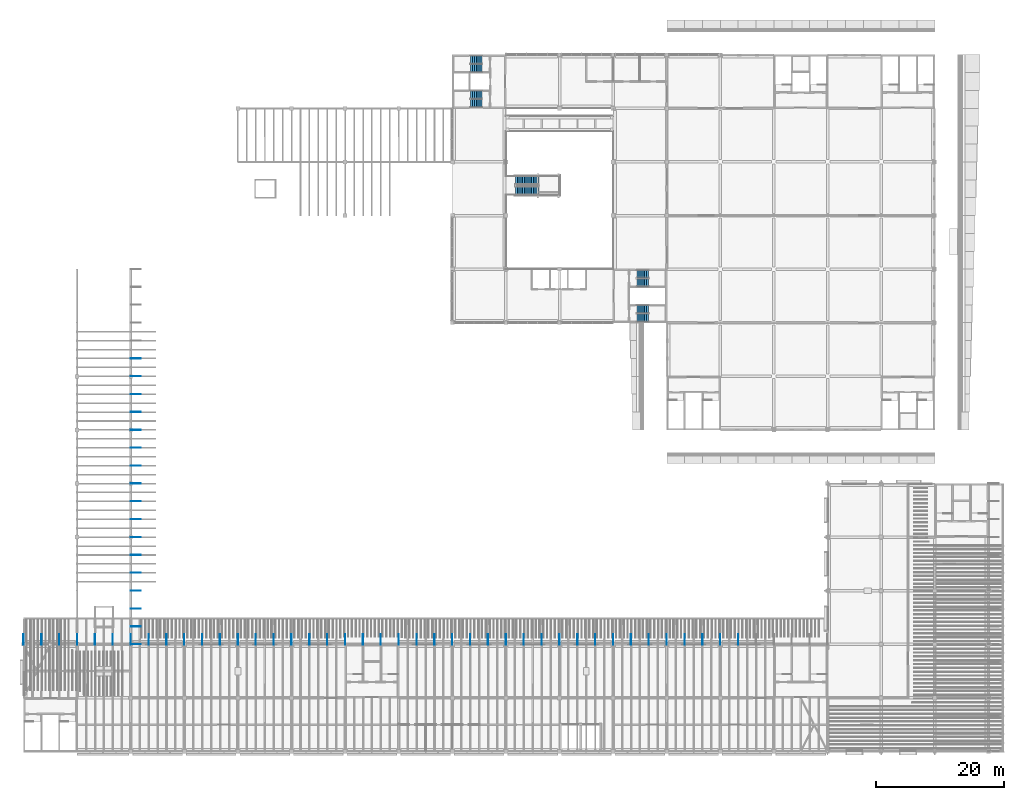
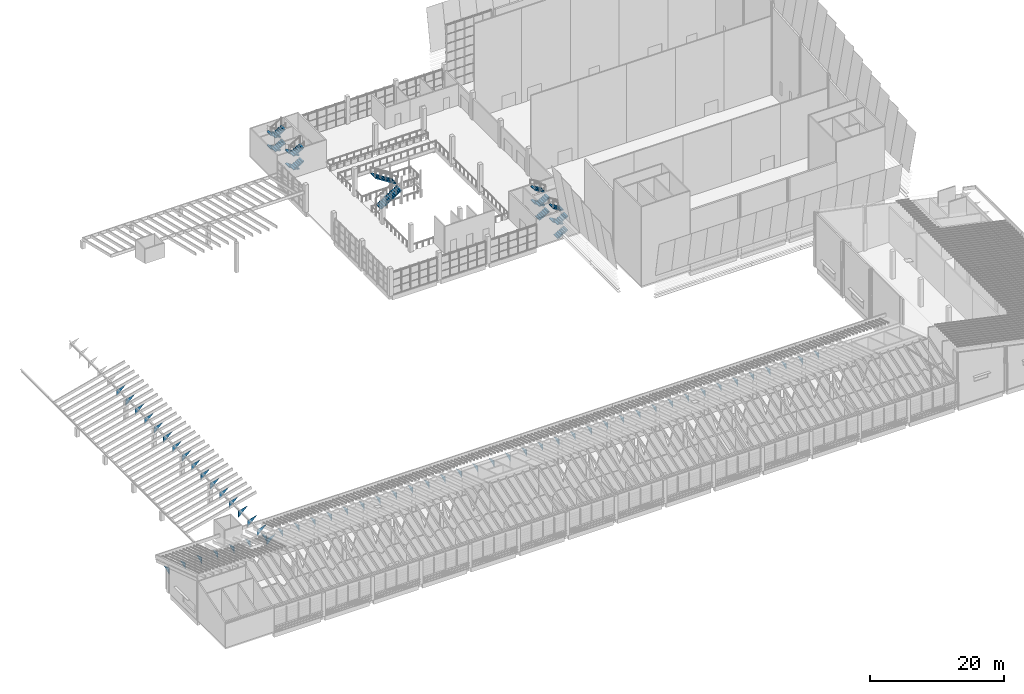
# One storey, part 28 of 59: 58 discrete accessories, 18 stair flights, 5 elements without a shape of their own.
"""IFC4 building model written with IfcOpenShell, lengths in metres."""

from ifc_helpers import new_model, si_unit, direction, frame, origin, place, context, subcontext, project, spatial, polyline, outline, extrude, material, type_object, element, aggregate, save


model = new_model("IFC4")

# Units and contexts
model_context = context("Model", 3, precision=1e-05, world=origin(), true_north=direction((0.0, 1.0)))
body_context = subcontext(model_context, "Body", "Model", "MODEL_VIEW")
ifc_project = project(units=[si_unit("LENGTHUNIT", "METRE"), si_unit("AREAUNIT", "SQUARE_METRE"), si_unit("VOLUMEUNIT", "CUBIC_METRE"), si_unit("PLANEANGLEUNIT", "RADIAN"), si_unit("MASSUNIT", "GRAM", prefix="KILO")], contexts=[model_context])

# Site, building, storey
site_placement = place(None, origin())
site = spatial("IfcSite", under=ifc_project, at=site_placement, CompositionType="ELEMENT")
building_placement = place(site_placement, origin())
building = spatial("IfcBuilding", under=site, at=building_placement, Name="Almond Square Museum", CompositionType="ELEMENT")
storey_placement = place(building_placement, frame((0.0, 0.0, 25.0)))
storey = spatial("IfcBuildingStorey", under=building, at=storey_placement, Name="L04", CompositionType="ELEMENT", Elevation=25.0)

# Stair, stair flights
ifc_material_1 = material(Name="Concrete C40/50", Category="concrete")
stair_type_1 = type_object("IfcStairType", Name="Exit stair 28 risers of 179 mm", PredefinedType="HALF_TURN_STAIR", material=ifc_material_1)
stair_1_placement = place(storey_placement, origin())
stair_1 = element("IfcStair", 1, at=stair_1_placement, inside=storey, type_object=stair_type_1, Name="L04 stair A1-1", PredefinedType="HALF_TURN_STAIR")
ifc_material_2 = material(Name="Concrete C40/50", Category="concrete")
stair_flight_type_1 = type_object("IfcStairFlightType", Name="Concrete flight", PredefinedType="STRAIGHT", material=ifc_material_2)
stair_flight_1_placement = place(storey_placement, frame((77.85009765625, 102.925048828125, 0.0), z_axis=(0.0, 0.0, 1.0), x_axis=(-1.0, 0.0, 0.0)))
stair_flight_1 = element("IfcStairFlight", 2, at=stair_flight_1_placement, type_object=stair_flight_type_1, Name="ST-09 flight 1", NumberOfRisers=7, NumberOfTreads=6, PredefinedType="STRAIGHT", RiserHeight=0.178571429, TreadLength=0.3, context=body_context, shape_type="SweptSolid", body=[
    extrude(outline(polyline([(0.0, 0.0), (0.0, 0.178466796875), (0.300048828125, 0.178466796875), (0.300048828125, 0.357177734375), (0.60009765625, 0.357177734375), (0.60009765625, 0.53564453125), (0.89990234375, 0.53564453125), (0.89990234375, 0.71435546875), (1.199951171875, 0.71435546875), (1.199951171875, 0.892822265625), (1.5, 0.892822265625), (1.5, 1.071533203125), (1.800048828125, 1.071533203125), (1.800048828125, 1.25), (1.800048828125, 0.89697265625), (0.29296875, 0.0), (0.0, 0.0)])), frame((0.0, 0.574951171875, 0.0), z_axis=(0.0, -1.0, 0.0), x_axis=(1.0, 0.0, 0.0)), (0.0, 0.0, 1.0), 1.14990234375),
])
stair_flight_2_placement = place(storey_placement, frame((76.050048828125, 101.574951171875, 1.25), z_axis=(0.0, 0.0, 1.0), x_axis=(1.0, 0.0, 0.0)))
stair_flight_2 = element("IfcStairFlight", 3, at=stair_flight_2_placement, type_object=stair_flight_type_1, Name="ST-09 flight 2", NumberOfRisers=7, NumberOfTreads=6, PredefinedType="STRAIGHT", RiserHeight=0.178571429, TreadLength=0.3, context=body_context, shape_type="SweptSolid", body=[
    extrude(outline(polyline([(0.0, 0.0), (0.0, 0.178466796875), (0.300048828125, 0.178466796875), (0.300048828125, 0.357177734375), (0.60009765625, 0.357177734375), (0.60009765625, 0.53564453125), (0.89990234375, 0.53564453125), (0.89990234375, 0.71435546875), (1.199951171875, 0.71435546875), (1.199951171875, 0.892822265625), (1.5, 0.892822265625), (1.5, 1.071533203125), (1.800048828125, 1.071533203125), (1.800048828125, 1.25), (1.800048828125, 0.89697265625), (0.29296875, 0.0), (0.0, 0.0)])), frame((0.0, 0.574951171875, 0.0), z_axis=(0.0, -1.0, 0.0), x_axis=(1.0, 0.0, 0.0)), (0.0, 0.0, 1.0), 1.14990234375),
])
stair_flight_3_placement = place(storey_placement, frame((77.85009765625, 102.925048828125, 2.5), z_axis=(0.0, 0.0, 1.0), x_axis=(-1.0, 0.0, 0.0)))
stair_flight_3 = element("IfcStairFlight", 4, at=stair_flight_3_placement, type_object=stair_flight_type_1, Name="ST-09 flight 3", NumberOfRisers=7, NumberOfTreads=6, PredefinedType="STRAIGHT", RiserHeight=0.178571429, TreadLength=0.3, context=body_context, shape_type="SweptSolid", body=[
    extrude(outline(polyline([(0.0, 0.0), (0.0, 0.178466796875), (0.300048828125, 0.178466796875), (0.300048828125, 0.357177734375), (0.60009765625, 0.357177734375), (0.60009765625, 0.53564453125), (0.89990234375, 0.53564453125), (0.89990234375, 0.71435546875), (1.199951171875, 0.71435546875), (1.199951171875, 0.892822265625), (1.5, 0.892822265625), (1.5, 1.071533203125), (1.800048828125, 1.071533203125), (1.800048828125, 1.25), (1.800048828125, 0.89697265625), (0.29296875, 0.0), (0.0, 0.0)])), frame((0.0, 0.574951171875, 0.0), z_axis=(0.0, -1.0, 0.0), x_axis=(1.0, 0.0, 0.0)), (0.0, 0.0, 1.0), 1.14990234375),
])
stair_flight_4_placement = place(storey_placement, frame((76.050048828125, 101.574951171875, 3.75), z_axis=(0.0, 0.0, 1.0), x_axis=(1.0, 0.0, 0.0)))
stair_flight_4 = element("IfcStairFlight", 5, at=stair_flight_4_placement, type_object=stair_flight_type_1, Name="ST-09 flight 4", NumberOfRisers=7, NumberOfTreads=6, PredefinedType="STRAIGHT", RiserHeight=0.178571429, TreadLength=0.3, context=body_context, shape_type="SweptSolid", body=[
    extrude(outline(polyline([(0.0, 0.0), (0.0, 0.178466796875), (0.300048828125, 0.178466796875), (0.300048828125, 0.357177734375), (0.60009765625, 0.357177734375), (0.60009765625, 0.53564453125), (0.89990234375, 0.53564453125), (0.89990234375, 0.71435546875), (1.199951171875, 0.71435546875), (1.199951171875, 0.892822265625), (1.5, 0.892822265625), (1.5, 1.071533203125), (1.800048828125, 1.071533203125), (1.800048828125, 1.25), (1.800048828125, 0.89697265625), (0.29296875, 0.0), (0.0, 0.0)])), frame((0.0, 0.574951171875, 0.0), z_axis=(0.0, -1.0, 0.0), x_axis=(1.0, 0.0, 0.0)), (0.0, 0.0, 1.0), 1.14990234375),
])
aggregate(stair_1, [stair_flight_1, stair_flight_2, stair_flight_3, stair_flight_4])

stair_2_placement = place(storey_placement, origin())
stair_2 = element("IfcStair", 6, at=stair_2_placement, inside=storey, type_object=stair_type_1, Name="L04 stair A1-2", PredefinedType="HALF_TURN_STAIR")
stair_flight_5_placement = place(storey_placement, frame((77.85009765625, 108.425048828125, 0.0), z_axis=(0.0, 0.0, 1.0), x_axis=(-1.0, 0.0, 0.0)))
stair_flight_5 = element("IfcStairFlight", 7, at=stair_flight_5_placement, type_object=stair_flight_type_1, Name="ST-10 flight 1", NumberOfRisers=7, NumberOfTreads=6, PredefinedType="STRAIGHT", RiserHeight=0.178571429, TreadLength=0.3, context=body_context, shape_type="SweptSolid", body=[
    extrude(outline(polyline([(0.0, 0.0), (0.0, 0.178466796875), (0.300048828125, 0.178466796875), (0.300048828125, 0.357177734375), (0.60009765625, 0.357177734375), (0.60009765625, 0.53564453125), (0.89990234375, 0.53564453125), (0.89990234375, 0.71435546875), (1.199951171875, 0.71435546875), (1.199951171875, 0.892822265625), (1.5, 0.892822265625), (1.5, 1.071533203125), (1.800048828125, 1.071533203125), (1.800048828125, 1.25), (1.800048828125, 0.89697265625), (0.29296875, 0.0), (0.0, 0.0)])), frame((0.0, 0.574951171875, 0.0), z_axis=(0.0, -1.0, 0.0), x_axis=(1.0, 0.0, 0.0)), (0.0, 0.0, 1.0), 1.14990234375),
])
stair_flight_6_placement = place(storey_placement, frame((76.050048828125, 107.074951171875, 1.25), z_axis=(0.0, 0.0, 1.0), x_axis=(1.0, 0.0, 0.0)))
stair_flight_6 = element("IfcStairFlight", 8, at=stair_flight_6_placement, type_object=stair_flight_type_1, Name="ST-10 flight 2", NumberOfRisers=7, NumberOfTreads=6, PredefinedType="STRAIGHT", RiserHeight=0.178571429, TreadLength=0.3, context=body_context, shape_type="SweptSolid", body=[
    extrude(outline(polyline([(0.0, 0.0), (0.0, 0.178466796875), (0.300048828125, 0.178466796875), (0.300048828125, 0.357177734375), (0.60009765625, 0.357177734375), (0.60009765625, 0.53564453125), (0.89990234375, 0.53564453125), (0.89990234375, 0.71435546875), (1.199951171875, 0.71435546875), (1.199951171875, 0.892822265625), (1.5, 0.892822265625), (1.5, 1.071533203125), (1.800048828125, 1.071533203125), (1.800048828125, 1.25), (1.800048828125, 0.89697265625), (0.29296875, 0.0), (0.0, 0.0)])), frame((0.0, 0.574951171875, 0.0), z_axis=(0.0, -1.0, 0.0), x_axis=(1.0, 0.0, 0.0)), (0.0, 0.0, 1.0), 1.14990234375),
])
stair_flight_7_placement = place(storey_placement, frame((77.85009765625, 108.425048828125, 2.5), z_axis=(0.0, 0.0, 1.0), x_axis=(-1.0, 0.0, 0.0)))
stair_flight_7 = element("IfcStairFlight", 9, at=stair_flight_7_placement, type_object=stair_flight_type_1, Name="ST-10 flight 3", NumberOfRisers=7, NumberOfTreads=6, PredefinedType="STRAIGHT", RiserHeight=0.178571429, TreadLength=0.3, context=body_context, shape_type="SweptSolid", body=[
    extrude(outline(polyline([(0.0, 0.0), (0.0, 0.178466796875), (0.300048828125, 0.178466796875), (0.300048828125, 0.357177734375), (0.60009765625, 0.357177734375), (0.60009765625, 0.53564453125), (0.89990234375, 0.53564453125), (0.89990234375, 0.71435546875), (1.199951171875, 0.71435546875), (1.199951171875, 0.892822265625), (1.5, 0.892822265625), (1.5, 1.071533203125), (1.800048828125, 1.071533203125), (1.800048828125, 1.25), (1.800048828125, 0.89697265625), (0.29296875, 0.0), (0.0, 0.0)])), frame((0.0, 0.574951171875, 0.0), z_axis=(0.0, -1.0, 0.0), x_axis=(1.0, 0.0, 0.0)), (0.0, 0.0, 1.0), 1.14990234375),
])
stair_flight_8_placement = place(storey_placement, frame((76.050048828125, 107.074951171875, 3.75), z_axis=(0.0, 0.0, 1.0), x_axis=(1.0, 0.0, 0.0)))
stair_flight_8 = element("IfcStairFlight", 10, at=stair_flight_8_placement, type_object=stair_flight_type_1, Name="ST-10 flight 4", NumberOfRisers=7, NumberOfTreads=6, PredefinedType="STRAIGHT", RiserHeight=0.178571429, TreadLength=0.3, context=body_context, shape_type="SweptSolid", body=[
    extrude(outline(polyline([(0.0, 0.0), (0.0, 0.178466796875), (0.300048828125, 0.178466796875), (0.300048828125, 0.357177734375), (0.60009765625, 0.357177734375), (0.60009765625, 0.53564453125), (0.89990234375, 0.53564453125), (0.89990234375, 0.71435546875), (1.199951171875, 0.71435546875), (1.199951171875, 0.892822265625), (1.5, 0.892822265625), (1.5, 1.071533203125), (1.800048828125, 1.071533203125), (1.800048828125, 1.25), (1.800048828125, 0.89697265625), (0.29296875, 0.0), (0.0, 0.0)])), frame((0.0, 0.574951171875, 0.0), z_axis=(0.0, -1.0, 0.0), x_axis=(1.0, 0.0, 0.0)), (0.0, 0.0, 1.0), 1.14990234375),
])
aggregate(stair_2, [stair_flight_5, stair_flight_6, stair_flight_7, stair_flight_8])

stair_3_placement = place(storey_placement, origin())
stair_3 = element("IfcStair", 11, at=stair_3_placement, inside=storey, type_object=stair_type_1, Name="L04 stair A2-1", PredefinedType="HALF_TURN_STAIR")
stair_flight_9_placement = place(storey_placement, frame((102.14990234375, 67.97509765625, 0.0), z_axis=(0.0, 0.0, 1.0), x_axis=(1.0, 0.0, 0.0)))
stair_flight_9 = element("IfcStairFlight", 12, at=stair_flight_9_placement, type_object=stair_flight_type_1, Name="ST-11 flight 1", NumberOfRisers=7, NumberOfTreads=6, PredefinedType="STRAIGHT", RiserHeight=0.178571429, TreadLength=0.3, context=body_context, shape_type="SweptSolid", body=[
    extrude(outline(polyline([(0.0, 0.0), (0.0, 0.178466796875), (0.300048828125, 0.178466796875), (0.300048828125, 0.357177734375), (0.60009765625, 0.357177734375), (0.60009765625, 0.53564453125), (0.89990234375, 0.53564453125), (0.89990234375, 0.71435546875), (1.199951171875, 0.71435546875), (1.199951171875, 0.892822265625), (1.5, 0.892822265625), (1.5, 1.071533203125), (1.800048828125, 1.071533203125), (1.800048828125, 1.25), (1.800048828125, 0.89697265625), (0.29296875, 0.0), (0.0, 0.0)])), frame((0.0, 0.574951171875, 0.0), z_axis=(0.0, -1.0, 0.0), x_axis=(1.0, 0.0, 0.0)), (0.0, 0.0, 1.0), 1.14990234375),
])
stair_flight_10_placement = place(storey_placement, frame((103.949951171875, 69.324951171875, 1.25), z_axis=(0.0, 0.0, 1.0), x_axis=(-1.0, 0.0, 0.0)))
stair_flight_10 = element("IfcStairFlight", 13, at=stair_flight_10_placement, type_object=stair_flight_type_1, Name="ST-11 flight 2", NumberOfRisers=7, NumberOfTreads=6, PredefinedType="STRAIGHT", RiserHeight=0.178571429, TreadLength=0.3, context=body_context, shape_type="SweptSolid", body=[
    extrude(outline(polyline([(0.0, 0.0), (0.0, 0.178466796875), (0.300048828125, 0.178466796875), (0.300048828125, 0.357177734375), (0.60009765625, 0.357177734375), (0.60009765625, 0.53564453125), (0.89990234375, 0.53564453125), (0.89990234375, 0.71435546875), (1.199951171875, 0.71435546875), (1.199951171875, 0.892822265625), (1.5, 0.892822265625), (1.5, 1.071533203125), (1.800048828125, 1.071533203125), (1.800048828125, 1.25), (1.800048828125, 0.89697265625), (0.29296875, 0.0), (0.0, 0.0)])), frame((0.0, 0.574951171875, 0.0), z_axis=(0.0, -1.0, 0.0), x_axis=(1.0, 0.0, 0.0)), (0.0, 0.0, 1.0), 1.14990234375),
])
stair_flight_11_placement = place(storey_placement, frame((102.14990234375, 67.97509765625, 2.5), z_axis=(0.0, 0.0, 1.0), x_axis=(1.0, 0.0, 0.0)))
stair_flight_11 = element("IfcStairFlight", 14, at=stair_flight_11_placement, type_object=stair_flight_type_1, Name="ST-11 flight 3", NumberOfRisers=7, NumberOfTreads=6, PredefinedType="STRAIGHT", RiserHeight=0.178571429, TreadLength=0.3, context=body_context, shape_type="SweptSolid", body=[
    extrude(outline(polyline([(0.0, 0.0), (0.0, 0.178466796875), (0.300048828125, 0.178466796875), (0.300048828125, 0.357177734375), (0.60009765625, 0.357177734375), (0.60009765625, 0.53564453125), (0.89990234375, 0.53564453125), (0.89990234375, 0.71435546875), (1.199951171875, 0.71435546875), (1.199951171875, 0.892822265625), (1.5, 0.892822265625), (1.5, 1.071533203125), (1.800048828125, 1.071533203125), (1.800048828125, 1.25), (1.800048828125, 0.89697265625), (0.29296875, 0.0), (0.0, 0.0)])), frame((0.0, 0.574951171875, 0.0), z_axis=(0.0, -1.0, 0.0), x_axis=(1.0, 0.0, 0.0)), (0.0, 0.0, 1.0), 1.14990234375),
])
stair_flight_12_placement = place(storey_placement, frame((103.949951171875, 69.324951171875, 3.75), z_axis=(0.0, 0.0, 1.0), x_axis=(-1.0, 0.0, 0.0)))
stair_flight_12 = element("IfcStairFlight", 15, at=stair_flight_12_placement, type_object=stair_flight_type_1, Name="ST-11 flight 4", NumberOfRisers=7, NumberOfTreads=6, PredefinedType="STRAIGHT", RiserHeight=0.178571429, TreadLength=0.3, context=body_context, shape_type="SweptSolid", body=[
    extrude(outline(polyline([(0.0, 0.0), (0.0, 0.178466796875), (0.300048828125, 0.178466796875), (0.300048828125, 0.357177734375), (0.60009765625, 0.357177734375), (0.60009765625, 0.53564453125), (0.89990234375, 0.53564453125), (0.89990234375, 0.71435546875), (1.199951171875, 0.71435546875), (1.199951171875, 0.892822265625), (1.5, 0.892822265625), (1.5, 1.071533203125), (1.800048828125, 1.071533203125), (1.800048828125, 1.25), (1.800048828125, 0.89697265625), (0.29296875, 0.0), (0.0, 0.0)])), frame((0.0, 0.574951171875, 0.0), z_axis=(0.0, -1.0, 0.0), x_axis=(1.0, 0.0, 0.0)), (0.0, 0.0, 1.0), 1.14990234375),
])
aggregate(stair_3, [stair_flight_9, stair_flight_10, stair_flight_11, stair_flight_12])

stair_4_placement = place(storey_placement, origin())
stair_4 = element("IfcStair", 16, at=stair_4_placement, inside=storey, type_object=stair_type_1, Name="L04 stair A2-2", PredefinedType="HALF_TURN_STAIR")
stair_flight_13_placement = place(storey_placement, frame((102.14990234375, 73.47509765625, 0.0), z_axis=(0.0, 0.0, 1.0), x_axis=(1.0, 0.0, 0.0)))
stair_flight_13 = element("IfcStairFlight", 17, at=stair_flight_13_placement, type_object=stair_flight_type_1, Name="ST-12 flight 1", NumberOfRisers=7, NumberOfTreads=6, PredefinedType="STRAIGHT", RiserHeight=0.178571429, TreadLength=0.3, context=body_context, shape_type="SweptSolid", body=[
    extrude(outline(polyline([(0.0, 0.0), (0.0, 0.178466796875), (0.300048828125, 0.178466796875), (0.300048828125, 0.357177734375), (0.60009765625, 0.357177734375), (0.60009765625, 0.53564453125), (0.89990234375, 0.53564453125), (0.89990234375, 0.71435546875), (1.199951171875, 0.71435546875), (1.199951171875, 0.892822265625), (1.5, 0.892822265625), (1.5, 1.071533203125), (1.800048828125, 1.071533203125), (1.800048828125, 1.25), (1.800048828125, 0.89697265625), (0.29296875, 0.0), (0.0, 0.0)])), frame((0.0, 0.574951171875, 0.0), z_axis=(0.0, -1.0, 0.0), x_axis=(1.0, 0.0, 0.0)), (0.0, 0.0, 1.0), 1.14990234375),
])
stair_flight_14_placement = place(storey_placement, frame((103.949951171875, 74.824951171875, 1.25), z_axis=(0.0, 0.0, 1.0), x_axis=(-1.0, 0.0, 0.0)))
stair_flight_14 = element("IfcStairFlight", 18, at=stair_flight_14_placement, type_object=stair_flight_type_1, Name="ST-12 flight 2", NumberOfRisers=7, NumberOfTreads=6, PredefinedType="STRAIGHT", RiserHeight=0.178571429, TreadLength=0.3, context=body_context, shape_type="SweptSolid", body=[
    extrude(outline(polyline([(0.0, 0.0), (0.0, 0.178466796875), (0.300048828125, 0.178466796875), (0.300048828125, 0.357177734375), (0.60009765625, 0.357177734375), (0.60009765625, 0.53564453125), (0.89990234375, 0.53564453125), (0.89990234375, 0.71435546875), (1.199951171875, 0.71435546875), (1.199951171875, 0.892822265625), (1.5, 0.892822265625), (1.5, 1.071533203125), (1.800048828125, 1.071533203125), (1.800048828125, 1.25), (1.800048828125, 0.89697265625), (0.29296875, 0.0), (0.0, 0.0)])), frame((0.0, 0.574951171875, 0.0), z_axis=(0.0, -1.0, 0.0), x_axis=(1.0, 0.0, 0.0)), (0.0, 0.0, 1.0), 1.14990234375),
])
stair_flight_15_placement = place(storey_placement, frame((102.14990234375, 73.47509765625, 2.5), z_axis=(0.0, 0.0, 1.0), x_axis=(1.0, 0.0, 0.0)))
stair_flight_15 = element("IfcStairFlight", 19, at=stair_flight_15_placement, type_object=stair_flight_type_1, Name="ST-12 flight 3", NumberOfRisers=7, NumberOfTreads=6, PredefinedType="STRAIGHT", RiserHeight=0.178571429, TreadLength=0.3, context=body_context, shape_type="SweptSolid", body=[
    extrude(outline(polyline([(0.0, 0.0), (0.0, 0.178466796875), (0.300048828125, 0.178466796875), (0.300048828125, 0.357177734375), (0.60009765625, 0.357177734375), (0.60009765625, 0.53564453125), (0.89990234375, 0.53564453125), (0.89990234375, 0.71435546875), (1.199951171875, 0.71435546875), (1.199951171875, 0.892822265625), (1.5, 0.892822265625), (1.5, 1.071533203125), (1.800048828125, 1.071533203125), (1.800048828125, 1.25), (1.800048828125, 0.89697265625), (0.29296875, 0.0), (0.0, 0.0)])), frame((0.0, 0.574951171875, 0.0), z_axis=(0.0, -1.0, 0.0), x_axis=(1.0, 0.0, 0.0)), (0.0, 0.0, 1.0), 1.14990234375),
])
stair_flight_16_placement = place(storey_placement, frame((103.949951171875, 74.824951171875, 3.75), z_axis=(0.0, 0.0, 1.0), x_axis=(-1.0, 0.0, 0.0)))
stair_flight_16 = element("IfcStairFlight", 20, at=stair_flight_16_placement, type_object=stair_flight_type_1, Name="ST-12 flight 4", NumberOfRisers=7, NumberOfTreads=6, PredefinedType="STRAIGHT", RiserHeight=0.178571429, TreadLength=0.3, context=body_context, shape_type="SweptSolid", body=[
    extrude(outline(polyline([(0.0, 0.0), (0.0, 0.178466796875), (0.300048828125, 0.178466796875), (0.300048828125, 0.357177734375), (0.60009765625, 0.357177734375), (0.60009765625, 0.53564453125), (0.89990234375, 0.53564453125), (0.89990234375, 0.71435546875), (1.199951171875, 0.71435546875), (1.199951171875, 0.892822265625), (1.5, 0.892822265625), (1.5, 1.071533203125), (1.800048828125, 1.071533203125), (1.800048828125, 1.25), (1.800048828125, 0.89697265625), (0.29296875, 0.0), (0.0, 0.0)])), frame((0.0, 0.574951171875, 0.0), z_axis=(0.0, -1.0, 0.0), x_axis=(1.0, 0.0, 0.0)), (0.0, 0.0, 1.0), 1.14990234375),
])
aggregate(stair_4, [stair_flight_13, stair_flight_14, stair_flight_15, stair_flight_16])

ifc_material_3 = material(Name="Concrete C40/50", Category="concrete")
stair_type_2 = type_object("IfcStairType", Name="Feature stair 1400 open flights", PredefinedType="HALF_TURN_STAIR", material=ifc_material_3)
stair_5_placement = place(storey_placement, origin())
stair_5 = element("IfcStair", 21, at=stair_5_placement, inside=storey, type_object=stair_type_2, Name="L04 atrium feature stair", PredefinedType="HALF_TURN_STAIR")
ifc_material_4 = material(Name="Concrete C40/50", Category="concrete")
stair_flight_type_2 = type_object("IfcStairFlightType", Name="Feature stair flight 1400", PredefinedType="STRAIGHT", material=ifc_material_4)
stair_flight_17_placement = place(storey_placement, frame((83.10009765625, 87.89990234375, 0.0), z_axis=(0.0, 0.0, 1.0), x_axis=(1.0, 0.0, 0.0)))
stair_flight_17 = element("IfcStairFlight", 22, at=stair_flight_17_placement, type_object=stair_flight_type_2, Name="ST-F flight 1", NumberOfRisers=14, NumberOfTreads=13, PredefinedType="STRAIGHT", RiserHeight=0.178571429, TreadLength=0.28, context=body_context, shape_type="SweptSolid", body=[
    extrude(outline(polyline([(0.0, 0.0), (0.0, 0.178466796875), (0.280029296875, 0.178466796875), (0.280029296875, 0.357177734375), (0.56005859375, 0.357177734375), (0.56005859375, 0.53564453125), (0.840087890625, 0.53564453125), (0.840087890625, 0.71435546875), (1.1201171875, 0.71435546875), (1.1201171875, 0.892822265625), (1.39990234375, 0.892822265625), (1.39990234375, 1.071533203125), (1.679931640625, 1.071533203125), (1.679931640625, 1.25), (1.9599609375, 1.25), (1.9599609375, 1.428466796875), (2.239990234375, 1.428466796875), (2.239990234375, 1.607177734375), (2.52001953125, 1.607177734375), (2.52001953125, 1.78564453125), (2.800048828125, 1.78564453125), (2.800048828125, 1.96435546875), (3.080078125, 1.96435546875), (3.080078125, 2.142822265625), (3.360107421875, 2.142822265625), (3.360107421875, 2.321533203125), (3.639892578125, 2.321533203125), (3.639892578125, 2.5), (3.639892578125, 2.1435546875), (0.27880859375, 0.0), (0.0, 0.0)])), frame((0.0, 0.699951171875, 0.0), z_axis=(0.0, -1.0, 0.0), x_axis=(1.0, 0.0, 0.0)), (0.0, 0.0, 1.0), 1.39990234375),
])
stair_flight_18_placement = place(storey_placement, frame((86.739990234375, 89.5, 2.5), z_axis=(0.0, 0.0, 1.0), x_axis=(-1.0, 0.0, 0.0)))
stair_flight_18 = element("IfcStairFlight", 23, at=stair_flight_18_placement, type_object=stair_flight_type_2, Name="ST-F flight 2", NumberOfRisers=14, NumberOfTreads=13, PredefinedType="STRAIGHT", RiserHeight=0.178571429, TreadLength=0.28, context=body_context, shape_type="SweptSolid", body=[
    extrude(outline(polyline([(0.0, 0.0), (0.0, 0.178466796875), (0.280029296875, 0.178466796875), (0.280029296875, 0.357177734375), (0.56005859375, 0.357177734375), (0.56005859375, 0.53564453125), (0.840087890625, 0.53564453125), (0.840087890625, 0.71435546875), (1.1201171875, 0.71435546875), (1.1201171875, 0.892822265625), (1.39990234375, 0.892822265625), (1.39990234375, 1.071533203125), (1.679931640625, 1.071533203125), (1.679931640625, 1.25), (1.9599609375, 1.25), (1.9599609375, 1.428466796875), (2.239990234375, 1.428466796875), (2.239990234375, 1.607177734375), (2.52001953125, 1.607177734375), (2.52001953125, 1.78564453125), (2.800048828125, 1.78564453125), (2.800048828125, 1.96435546875), (3.080078125, 1.96435546875), (3.080078125, 2.142822265625), (3.360107421875, 2.142822265625), (3.360107421875, 2.321533203125), (3.639892578125, 2.321533203125), (3.639892578125, 2.5), (3.639892578125, 2.1435546875), (0.27880859375, 0.0), (0.0, 0.0)])), frame((0.0, 0.699951171875, 0.0), z_axis=(0.0, -1.0, 0.0), x_axis=(1.0, 0.0, 0.0)), (0.0, 0.0, 1.0), 1.39990234375),
])
aggregate(stair_5, [stair_flight_17, stair_flight_18])

# Discrete accessories
ifc_material_5 = material(Name="Structural steel S355", Category="steel")
discrete_accessory_type = type_object("IfcDiscreteAccessoryType", Name="Eave knee bracket", PredefinedType="BRACKET", material=ifc_material_5)
for number, where, z_axis, x_axis, name in (
    (24, (22.760009765625, 16.800048828125, 3.779296875), (0.0, -1.0, 0.0), (0.0, 0.0, -1.0), "Eave knee bracket W.22.1"),
    (25, (22.760009765625, 19.60009765625, 3.779296875), (0.0, -1.0, 0.0), (0.0, 0.0, -1.0), "Eave knee bracket W.22.2"),
    (26, (22.760009765625, 22.39990234375, 3.779296875), (0.0, -1.0, 0.0), (0.0, 0.0, -1.0), "Eave knee bracket W.22.3"),
    (27, (22.760009765625, 25.199951171875, 3.779296875), (0.0, -1.0, 0.0), (0.0, 0.0, -1.0), "Eave knee bracket W.22.4"),
    (28, (22.760009765625, 28.0, 3.779296875), (0.0, -1.0, 0.0), (0.0, 0.0, -1.0), "Eave knee bracket W.22.5"),
    (29, (22.760009765625, 30.800048828125, 3.779296875), (0.0, -1.0, 0.0), (0.0, 0.0, -1.0), "Eave knee bracket W.22.6"),
    (30, (22.760009765625, 33.60009765625, 3.779296875), (0.0, -1.0, 0.0), (0.0, 0.0, -1.0), "Eave knee bracket W.22.7"),
    (31, (22.760009765625, 36.39990234375, 3.779296875), (0.0, -1.0, 0.0), (0.0, 0.0, -1.0), "Eave knee bracket W.22.8"),
    (32, (22.760009765625, 39.199951171875, 3.779296875), (0.0, -1.0, 0.0), (0.0, 0.0, -1.0), "Eave knee bracket W.22.9"),
    (33, (22.760009765625, 42.0, 3.779296875), (0.0, -1.0, 0.0), (0.0, 0.0, -1.0), "Eave knee bracket W.22.10"),
    (34, (22.760009765625, 44.800048828125, 3.779296875), (0.0, -1.0, 0.0), (0.0, 0.0, -1.0), "Eave knee bracket W.22.11"),
    (35, (22.760009765625, 47.60009765625, 3.779296875), (0.0, -1.0, 0.0), (0.0, 0.0, -1.0), "Eave knee bracket W.22.12"),
    (36, (22.760009765625, 50.39990234375, 3.779296875), (0.0, -1.0, 0.0), (0.0, 0.0, -1.0), "Eave knee bracket W.22.13"),
    (37, (22.760009765625, 53.199951171875, 3.779296875), (0.0, -1.0, 0.0), (0.0, 0.0, -1.0), "Eave knee bracket W.22.14"),
    (38, (22.760009765625, 56.0, 3.779296875), (0.0, -1.0, 0.0), (0.0, 0.0, -1.0), "Eave knee bracket W.22.15"),
    (39, (22.760009765625, 58.800048828125, 3.779296875), (0.0, -1.0, 0.0), (0.0, 0.0, -1.0), "Eave knee bracket W.22.16"),
    (40, (22.760009765625, 61.60009765625, 3.779296875), (0.0, -1.0, 0.0), (0.0, 0.0, -1.0), "Eave knee bracket W.22.17"),
):
    element("IfcDiscreteAccessory", number, at=place(storey_placement, frame(where, z_axis=z_axis, x_axis=x_axis)), inside=storey, type_object=discrete_accessory_type, Name=name, PredefinedType="BRACKET", context=body_context, shape_type="SweptSolid", body=[
        extrude(outline(polyline([(0.0, 0.0), (1.199951171875, 0.0), (-0.429443359375, 1.639892578125), (0.0, 0.0)])), frame((0.0, 0.0, -0.01513671875)), (0.0, 0.0, 1.0), 0.030029296875),
    ])
for number, where, z_axis, x_axis, name in (
    (41, (6.0, 16.760009765625, 4.39208984375), (1.0, 0.0, 0.0), (0.0, 0.0, -1.0), "Eave knee bracket G.16.1"),
    (42, (8.800048828125, 16.760009765625, 4.39208984375), (1.0, 0.0, 0.0), (0.0, 0.0, -1.0), "Eave knee bracket G.16.2"),
    (43, (11.60009765625, 16.760009765625, 4.39208984375), (1.0, 0.0, 0.0), (0.0, 0.0, -1.0), "Eave knee bracket G.16.3"),
    (44, (14.39990234375, 16.760009765625, 4.39208984375), (1.0, 0.0, 0.0), (0.0, 0.0, -1.0), "Eave knee bracket G.16.4"),
    (45, (17.199951171875, 16.760009765625, 4.39208984375), (1.0, 0.0, 0.0), (0.0, 0.0, -1.0), "Eave knee bracket G.16.5"),
    (46, (20.0, 16.760009765625, 4.39208984375), (1.0, 0.0, 0.0), (0.0, 0.0, -1.0), "Eave knee bracket G.16.6"),
    (47, (22.800048828125, 16.760009765625, 4.39208984375), (1.0, 0.0, 0.0), (0.0, 0.0, -1.0), "Eave knee bracket G.16.7"),
    (48, (25.60009765625, 16.760009765625, 4.39208984375), (1.0, 0.0, 0.0), (0.0, 0.0, -1.0), "Eave knee bracket G.16.8"),
    (49, (28.39990234375, 16.760009765625, 4.39208984375), (1.0, 0.0, 0.0), (0.0, 0.0, -1.0), "Eave knee bracket G.16.9"),
    (50, (31.199951171875, 16.760009765625, 4.39208984375), (1.0, 0.0, 0.0), (0.0, 0.0, -1.0), "Eave knee bracket G.16.10"),
    (51, (34.0, 16.760009765625, 4.39208984375), (1.0, 0.0, 0.0), (0.0, 0.0, -1.0), "Eave knee bracket G.16.11"),
    (52, (36.800048828125, 16.760009765625, 4.39208984375), (1.0, 0.0, 0.0), (0.0, 0.0, -1.0), "Eave knee bracket G.16.12"),
    (53, (39.60009765625, 16.760009765625, 4.39208984375), (1.0, 0.0, 0.0), (0.0, 0.0, -1.0), "Eave knee bracket G.16.13"),
    (54, (42.39990234375, 16.760009765625, 4.39208984375), (1.0, 0.0, 0.0), (0.0, 0.0, -1.0), "Eave knee bracket G.16.14"),
    (55, (45.199951171875, 16.760009765625, 4.39208984375), (1.0, 0.0, 0.0), (0.0, 0.0, -1.0), "Eave knee bracket G.16.15"),
    (56, (48.0, 16.760009765625, 4.39208984375), (1.0, 0.0, 0.0), (0.0, 0.0, -1.0), "Eave knee bracket G.16.16"),
    (57, (50.800048828125, 16.760009765625, 4.39208984375), (1.0, 0.0, 0.0), (0.0, 0.0, -1.0), "Eave knee bracket G.16.17"),
    (58, (53.60009765625, 16.760009765625, 4.39208984375), (1.0, 0.0, 0.0), (0.0, 0.0, -1.0), "Eave knee bracket G.16.18"),
    (59, (56.39990234375, 16.760009765625, 4.39208984375), (1.0, 0.0, 0.0), (0.0, 0.0, -1.0), "Eave knee bracket G.16.19"),
    (60, (59.199951171875, 16.760009765625, 4.39208984375), (1.0, 0.0, 0.0), (0.0, 0.0, -1.0), "Eave knee bracket G.16.20"),
    (61, (62.0, 16.760009765625, 4.39208984375), (1.0, 0.0, 0.0), (0.0, 0.0, -1.0), "Eave knee bracket G.16.21"),
    (62, (64.800048828125, 16.760009765625, 4.39208984375), (1.0, 0.0, 0.0), (0.0, 0.0, -1.0), "Eave knee bracket G.16.22"),
    (63, (67.60009765625, 16.760009765625, 4.39208984375), (1.0, 0.0, 0.0), (0.0, 0.0, -1.0), "Eave knee bracket G.16.23"),
    (64, (70.39990234375, 16.760009765625, 4.39208984375), (1.0, 0.0, 0.0), (0.0, 0.0, -1.0), "Eave knee bracket G.16.24"),
    (65, (73.199951171875, 16.760009765625, 4.39208984375), (1.0, 0.0, 0.0), (0.0, 0.0, -1.0), "Eave knee bracket G.16.25"),
    (66, (76.0, 16.760009765625, 4.39208984375), (1.0, 0.0, 0.0), (0.0, 0.0, -1.0), "Eave knee bracket G.16.26"),
    (67, (78.800048828125, 16.760009765625, 4.39208984375), (1.0, 0.0, 0.0), (0.0, 0.0, -1.0), "Eave knee bracket G.16.27"),
    (68, (81.60009765625, 16.760009765625, 4.39208984375), (1.0, 0.0, 0.0), (0.0, 0.0, -1.0), "Eave knee bracket G.16.28"),
    (69, (84.39990234375, 16.760009765625, 4.39208984375), (1.0, 0.0, 0.0), (0.0, 0.0, -1.0), "Eave knee bracket G.16.29"),
    (70, (87.199951171875, 16.760009765625, 4.39208984375), (1.0, 0.0, 0.0), (0.0, 0.0, -1.0), "Eave knee bracket G.16.30"),
    (71, (90.0, 16.760009765625, 4.39208984375), (1.0, 0.0, 0.0), (0.0, 0.0, -1.0), "Eave knee bracket G.16.31"),
    (72, (92.800048828125, 16.760009765625, 4.39208984375), (1.0, 0.0, 0.0), (0.0, 0.0, -1.0), "Eave knee bracket G.16.32"),
    (73, (95.60009765625, 16.760009765625, 4.39208984375), (1.0, 0.0, 0.0), (0.0, 0.0, -1.0), "Eave knee bracket G.16.33"),
    (74, (98.39990234375, 16.760009765625, 4.39208984375), (1.0, 0.0, 0.0), (0.0, 0.0, -1.0), "Eave knee bracket G.16.34"),
    (75, (101.199951171875, 16.760009765625, 4.39208984375), (1.0, 0.0, 0.0), (0.0, 0.0, -1.0), "Eave knee bracket G.16.35"),
    (76, (104.0, 16.760009765625, 4.39208984375), (1.0, 0.0, 0.0), (0.0, 0.0, -1.0), "Eave knee bracket G.16.36"),
    (77, (106.800048828125, 16.760009765625, 4.39208984375), (1.0, 0.0, 0.0), (0.0, 0.0, -1.0), "Eave knee bracket G.16.37"),
    (78, (109.60009765625, 16.760009765625, 4.39208984375), (1.0, 0.0, 0.0), (0.0, 0.0, -1.0), "Eave knee bracket G.16.38"),
    (79, (112.39990234375, 16.760009765625, 4.39208984375), (1.0, 0.0, 0.0), (0.0, 0.0, -1.0), "Eave knee bracket G.16.39"),
    (80, (115.199951171875, 16.760009765625, 4.39208984375), (1.0, 0.0, 0.0), (0.0, 0.0, -1.0), "Eave knee bracket G.16.40"),
    (81, (118.0, 16.760009765625, 4.39208984375), (1.0, 0.0, 0.0), (0.0, 0.0, -1.0), "Eave knee bracket G.16.41"),
):
    element("IfcDiscreteAccessory", number, at=place(storey_placement, frame(where, z_axis=z_axis, x_axis=x_axis)), inside=storey, type_object=discrete_accessory_type, Name=name, PredefinedType="BRACKET", context=body_context, shape_type="SweptSolid", body=[
        extrude(outline(polyline([(0.0, 0.0), (1.199951171875, 0.0), (0.53271484375, 1.639892578125), (0.0, 0.0)])), frame((0.0, 0.0, -0.01513671875)), (0.0, 0.0, 1.0), 0.030029296875),
    ])

save(model, "model.ifc")
